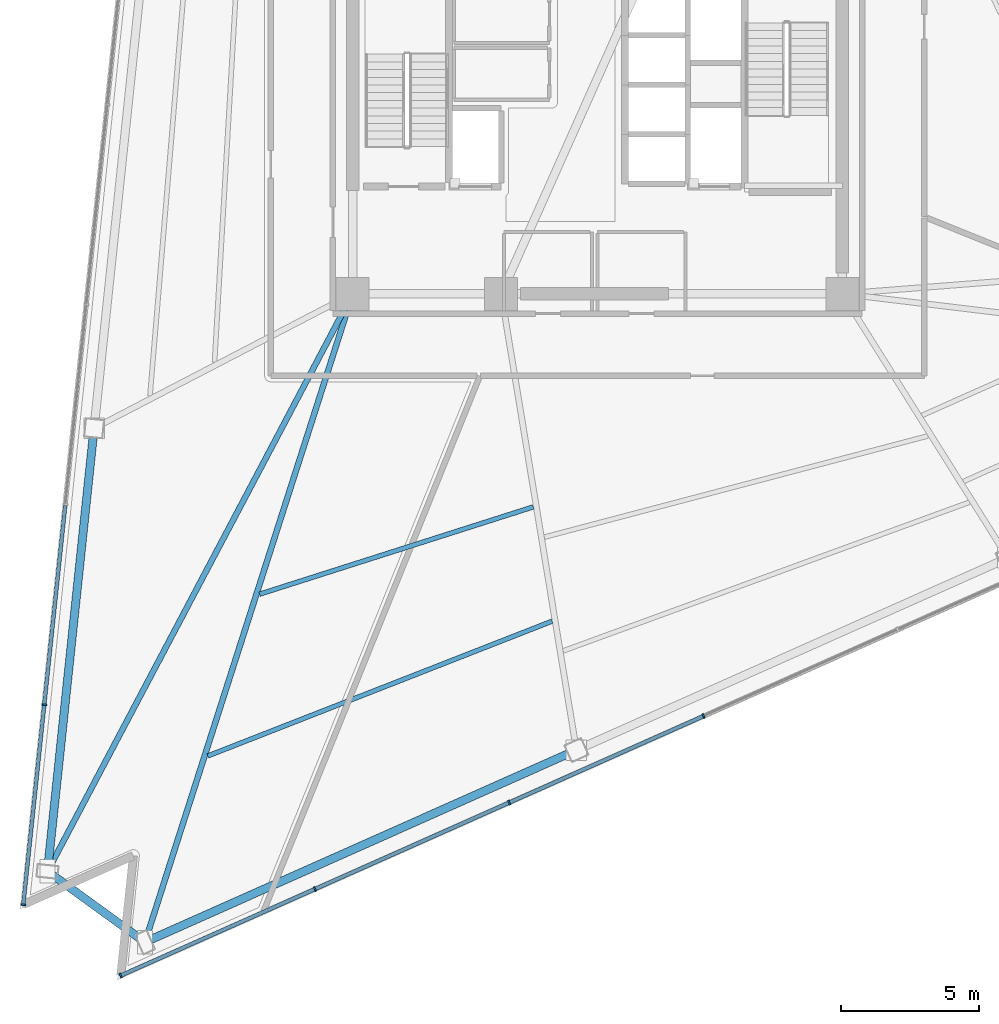
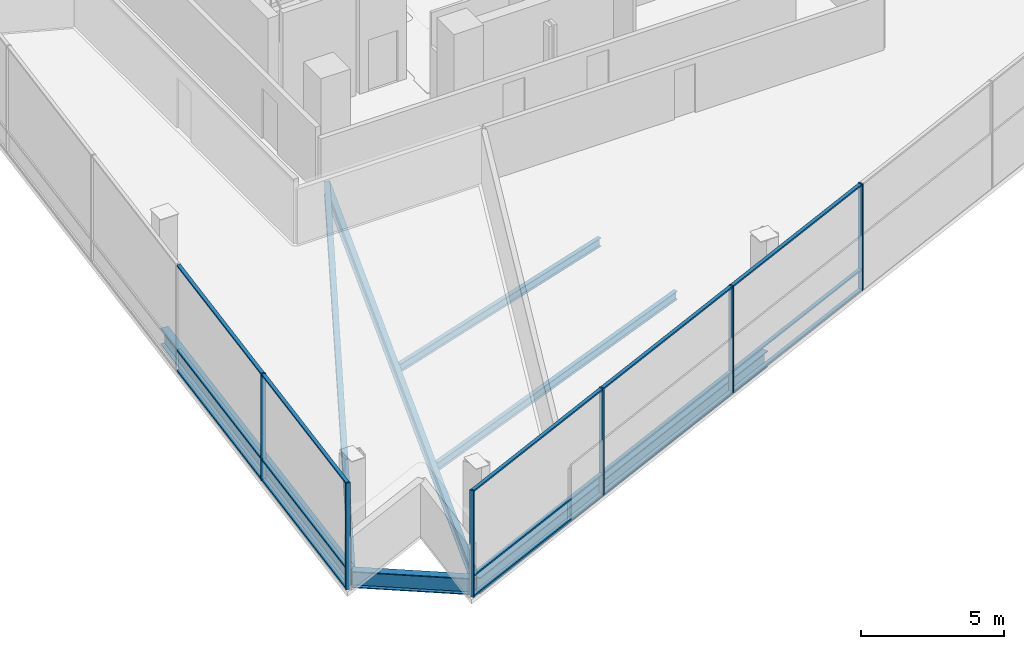
# One storey, part 2 of 18: 21 members, 7 beams, 2 elements without a shape of their own.
"""IFC4 building model written with IfcOpenShell, lengths in metres."""

from ifc_helpers import new_model, si_unit, direction, frame, origin, origin_2d, place, context, subcontext, project, spatial, rectangle, i_section, extrude, material, layer, layer_set, material_profile, profile_set, type_object, element, aggregate, save


model = new_model("IFC4")

# Units and contexts
model_context = context("Model", 3, precision=1e-05, world=origin(), true_north=direction((0.0, 1.0)))
body_context = subcontext(model_context, "Body", "Model", "MODEL_VIEW")
ifc_project = project(units=[si_unit("LENGTHUNIT", "METRE"), si_unit("AREAUNIT", "SQUARE_METRE"), si_unit("VOLUMEUNIT", "CUBIC_METRE"), si_unit("PLANEANGLEUNIT", "RADIAN"), si_unit("MASSUNIT", "GRAM", prefix="KILO")], contexts=[model_context])

# Site, building, storey
site_placement = place(None, origin())
site = spatial("IfcSite", under=ifc_project, at=site_placement, CompositionType="ELEMENT")
building_placement = place(site_placement, origin())
building = spatial("IfcBuilding", under=site, at=building_placement, Name="Tharavind Bronze Gate", CompositionType="ELEMENT")
storey_placement = place(building_placement, frame((0.0, 0.0, 134.050048828125)))
storey = spatial("IfcBuildingStorey", under=building, at=storey_placement, Name="L34", CompositionType="ELEMENT", Elevation=134.050048828125)

# Curtain wall, members
ifc_material_1 = material(Name="Anodised Bronze Aluminium", Category="aluminium")
ifc_layer = layer(ifc_material_1, 0.219970703125)
ifc_layer_set = layer_set([ifc_layer], Name="Anodised Bronze Aluminium")
curtain_wall_type = type_object("IfcCurtainWallType", Name="UNITISED CURTAIN WALL LOWER OFFICE", PredefinedType="USERDEFINED", material=ifc_layer_set)
curtain_wall_1_placement = place(storey_placement, origin())
curtain_wall_1 = element("IfcCurtainWall", 1, at=curtain_wall_1_placement, inside=storey, type_object=curtain_wall_type, Name="L34 unitised curtain wall lower office CW-L34-S1", ObjectType="UNITISED CURTAIN WALL", PredefinedType="USERDEFINED")
member_type_1 = type_object("IfcMemberType", Name="CURTAIN WALL BRONZE MULLION 65X180", PredefinedType="MULLION", material=ifc_material_1)
member_1_placement = place(storey_placement, frame((-20.1142578125, -22.5380859375, 0.0), z_axis=(0.0, 0.0, 1.0), x_axis=(-0.104526727499, -0.994522077803, 0.0)))
member_1 = element("IfcMember", 2, at=member_1_placement, type_object=member_type_1, Name="CW-L34-S1 mullion 7", PredefinedType="MULLION", context=body_context, shape_type="SweptSolid", body=[
    extrude(rectangle(XDim=0.06494140625, YDim=0.179931640625, at=origin_2d()), origin(), (0.0, 0.0, 1.0), 4.56005859375),
])
member_2_placement = place(storey_placement, frame((-20.878662109375, -29.811279296875, 0.0), z_axis=(0.0, 0.0, 1.0), x_axis=(-0.104526727499, -0.994522077803, 0.0)))
member_2 = element("IfcMember", 3, at=member_2_placement, type_object=member_type_1, Name="CW-L34-S1 mullion 8", PredefinedType="MULLION", context=body_context, shape_type="SweptSolid", body=[
    extrude(rectangle(XDim=0.06494140625, YDim=0.179931640625, at=origin_2d()), origin(), (0.0, 0.0, 1.0), 4.56005859375),
])

curtain_wall_2_placement = place(storey_placement, origin())
curtain_wall_2 = element("IfcCurtainWall", 4, at=curtain_wall_2_placement, inside=storey, type_object=curtain_wall_type, Name="L34 unitised curtain wall lower office CW-L34-S2", ObjectType="UNITISED CURTAIN WALL", PredefinedType="USERDEFINED")
member_3_placement = place(storey_placement, frame((-17.335205078125, -32.3857421875, 0.0), z_axis=(0.0, 0.0, 1.0), x_axis=(0.913545457643, 0.406736643076, 0.0)))
member_3 = element("IfcMember", 5, at=member_3_placement, type_object=member_type_1, Name="CW-L34-S2 mullion 1", PredefinedType="MULLION", context=body_context, shape_type="SweptSolid", body=[
    extrude(rectangle(XDim=0.06494140625, YDim=0.179931640625, at=origin_2d()), origin(), (0.0, 0.0, 1.0), 4.56005859375),
])
member_4_placement = place(storey_placement, frame((-10.273193359375, -29.241455078125, 0.0), z_axis=(0.0, 0.0, 1.0), x_axis=(0.913545457643, 0.406736643076, 0.0)))
member_4 = element("IfcMember", 6, at=member_4_placement, type_object=member_type_1, Name="CW-L34-S2 mullion 2", PredefinedType="MULLION", context=body_context, shape_type="SweptSolid", body=[
    extrude(rectangle(XDim=0.06494140625, YDim=0.179931640625, at=origin_2d()), origin(), (0.0, 0.0, 1.0), 4.56005859375),
])
member_5_placement = place(storey_placement, frame((-3.2109375, -26.097412109375, 0.0), z_axis=(0.0, 0.0, 1.0), x_axis=(0.913545457643, 0.406736643076, 0.0)))
member_5 = element("IfcMember", 7, at=member_5_placement, type_object=member_type_1, Name="CW-L34-S2 mullion 3", PredefinedType="MULLION", context=body_context, shape_type="SweptSolid", body=[
    extrude(rectangle(XDim=0.06494140625, YDim=0.179931640625, at=origin_2d()), origin(), (0.0, 0.0, 1.0), 4.56005859375),
])
member_6_placement = place(storey_placement, frame((3.851318359375, -22.952880859375, 0.0), z_axis=(0.0, 0.0, 1.0), x_axis=(0.913545457643, 0.406736643076, 0.0)))
member_6 = element("IfcMember", 8, at=member_6_placement, type_object=member_type_1, Name="CW-L34-S2 mullion 4", PredefinedType="MULLION", context=body_context, shape_type="SweptSolid", body=[
    extrude(rectangle(XDim=0.06494140625, YDim=0.179931640625, at=origin_2d()), origin(), (0.0, 0.0, 1.0), 4.56005859375),
])

# Member
member_type_2 = type_object("IfcMemberType", Name="CURTAIN WALL BRONZE TRANSOM 65X140", PredefinedType="USERDEFINED", material=ifc_material_1)
member_7_placement = place(storey_placement, frame((-19.73193359375, -18.9013671875, 0.0), z_axis=(0.0, 0.0, 1.0), x_axis=(-0.104526727499, -0.994522077803, 0.0)))
member_7 = element("IfcMember", 9, at=member_7_placement, type_object=member_type_2, Name="CW-L34-S1 transom TB6", ObjectType="TRANSOM", PredefinedType="USERDEFINED", context=body_context, shape_type="SweptSolid", body=[
    extrude(rectangle(XDim=7.26025390625, YDim=0.139892578125, at=origin_2d()), origin(), (0.0, 0.0, 1.0), 0.06494140625),
])

member_8_placement = place(storey_placement, frame((-19.73193359375, -18.9013671875, 0.867431640625), z_axis=(0.0, 0.0, 1.0), x_axis=(-0.104526727499, -0.994522077803, 0.0)))
member_8 = element("IfcMember", 10, at=member_8_placement, type_object=member_type_2, Name="CW-L34-S1 transom TS6", ObjectType="TRANSOM", PredefinedType="USERDEFINED", context=body_context, shape_type="SweptSolid", body=[
    extrude(rectangle(XDim=7.26025390625, YDim=0.139892578125, at=origin_2d()), origin(), (0.0, 0.0, 1.0), 0.06494140625),
])

member_9_placement = place(storey_placement, frame((-19.73193359375, -18.9013671875, 4.494873046875), z_axis=(0.0, 0.0, 1.0), x_axis=(-0.104526727499, -0.994522077803, 0.0)))
member_9 = element("IfcMember", 11, at=member_9_placement, type_object=member_type_2, Name="CW-L34-S1 transom TT6", ObjectType="TRANSOM", PredefinedType="USERDEFINED", context=body_context, shape_type="SweptSolid", body=[
    extrude(rectangle(XDim=7.26025390625, YDim=0.139892578125, at=origin_2d()), origin(), (0.0, 0.0, 1.0), 0.06494140625),
])

member_10_placement = place(storey_placement, frame((-20.49658203125, -26.1748046875, 0.0), z_axis=(0.0, 0.0, 1.0), x_axis=(-0.104526727499, -0.994522077803, 0.0)))
member_10 = element("IfcMember", 12, at=member_10_placement, type_object=member_type_2, Name="CW-L34-S1 transom TB7", ObjectType="TRANSOM", PredefinedType="USERDEFINED", context=body_context, shape_type="SweptSolid", body=[
    extrude(rectangle(XDim=7.26025390625, YDim=0.139892578125, at=origin_2d()), origin(), (0.0, 0.0, 1.0), 0.06494140625),
])

member_11_placement = place(storey_placement, frame((-20.49658203125, -26.1748046875, 0.867431640625), z_axis=(0.0, 0.0, 1.0), x_axis=(-0.104526727499, -0.994522077803, 0.0)))
member_11 = element("IfcMember", 13, at=member_11_placement, type_object=member_type_2, Name="CW-L34-S1 transom TS7", ObjectType="TRANSOM", PredefinedType="USERDEFINED", context=body_context, shape_type="SweptSolid", body=[
    extrude(rectangle(XDim=7.26025390625, YDim=0.139892578125, at=origin_2d()), origin(), (0.0, 0.0, 1.0), 0.06494140625),
])

member_12_placement = place(storey_placement, frame((-20.49658203125, -26.1748046875, 4.494873046875), z_axis=(0.0, 0.0, 1.0), x_axis=(-0.104526727499, -0.994522077803, 0.0)))
member_12 = element("IfcMember", 14, at=member_12_placement, type_object=member_type_2, Name="CW-L34-S1 transom TT7", ObjectType="TRANSOM", PredefinedType="USERDEFINED", context=body_context, shape_type="SweptSolid", body=[
    extrude(rectangle(XDim=7.26025390625, YDim=0.139892578125, at=origin_2d()), origin(), (0.0, 0.0, 1.0), 0.06494140625),
])

aggregate(curtain_wall_1, [member_1, member_2, member_7, member_8, member_9, member_10, member_11, member_12])

member_13_placement = place(storey_placement, frame((-13.80419921875, -30.813720703125, 0.0), z_axis=(0.0, 0.0, 1.0), x_axis=(0.913545457643, 0.406736643076, 0.0)))
member_13 = element("IfcMember", 15, at=member_13_placement, type_object=member_type_2, Name="CW-L34-S2 transom TB1", ObjectType="TRANSOM", PredefinedType="USERDEFINED", context=body_context, shape_type="SweptSolid", body=[
    extrude(rectangle(XDim=7.677490234375, YDim=0.139892578125, at=origin_2d()), origin(), (0.0, 0.0, 1.0), 0.06494140625),
])

member_14_placement = place(storey_placement, frame((-13.80419921875, -30.813720703125, 0.867431640625), z_axis=(0.0, 0.0, 1.0), x_axis=(0.913545457643, 0.406736643076, 0.0)))
member_14 = element("IfcMember", 16, at=member_14_placement, type_object=member_type_2, Name="CW-L34-S2 transom TS1", ObjectType="TRANSOM", PredefinedType="USERDEFINED", context=body_context, shape_type="SweptSolid", body=[
    extrude(rectangle(XDim=7.677490234375, YDim=0.139892578125, at=origin_2d()), origin(), (0.0, 0.0, 1.0), 0.06494140625),
])

member_15_placement = place(storey_placement, frame((-13.80419921875, -30.813720703125, 4.494873046875), z_axis=(0.0, 0.0, 1.0), x_axis=(0.913545457643, 0.406736643076, 0.0)))
member_15 = element("IfcMember", 17, at=member_15_placement, type_object=member_type_2, Name="CW-L34-S2 transom TT1", ObjectType="TRANSOM", PredefinedType="USERDEFINED", context=body_context, shape_type="SweptSolid", body=[
    extrude(rectangle(XDim=7.677490234375, YDim=0.139892578125, at=origin_2d()), origin(), (0.0, 0.0, 1.0), 0.06494140625),
])

member_16_placement = place(storey_placement, frame((-6.741943359375, -27.66943359375, 0.0), z_axis=(0.0, 0.0, 1.0), x_axis=(0.913545457643, 0.406736643076, 0.0)))
member_16 = element("IfcMember", 18, at=member_16_placement, type_object=member_type_2, Name="CW-L34-S2 transom TB2", ObjectType="TRANSOM", PredefinedType="USERDEFINED", context=body_context, shape_type="SweptSolid", body=[
    extrude(rectangle(XDim=7.677490234375, YDim=0.139892578125, at=origin_2d()), origin(), (0.0, 0.0, 1.0), 0.06494140625),
])

member_17_placement = place(storey_placement, frame((-6.741943359375, -27.66943359375, 0.867431640625), z_axis=(0.0, 0.0, 1.0), x_axis=(0.913545457643, 0.406736643076, 0.0)))
member_17 = element("IfcMember", 19, at=member_17_placement, type_object=member_type_2, Name="CW-L34-S2 transom TS2", ObjectType="TRANSOM", PredefinedType="USERDEFINED", context=body_context, shape_type="SweptSolid", body=[
    extrude(rectangle(XDim=7.677490234375, YDim=0.139892578125, at=origin_2d()), origin(), (0.0, 0.0, 1.0), 0.06494140625),
])

member_18_placement = place(storey_placement, frame((-6.741943359375, -27.66943359375, 4.494873046875), z_axis=(0.0, 0.0, 1.0), x_axis=(0.913545457643, 0.406736643076, 0.0)))
member_18 = element("IfcMember", 20, at=member_18_placement, type_object=member_type_2, Name="CW-L34-S2 transom TT2", ObjectType="TRANSOM", PredefinedType="USERDEFINED", context=body_context, shape_type="SweptSolid", body=[
    extrude(rectangle(XDim=7.677490234375, YDim=0.139892578125, at=origin_2d()), origin(), (0.0, 0.0, 1.0), 0.06494140625),
])

member_19_placement = place(storey_placement, frame((0.3203125, -24.525146484375, 0.0), z_axis=(0.0, 0.0, 1.0), x_axis=(0.913545457643, 0.406736643076, 0.0)))
member_19 = element("IfcMember", 21, at=member_19_placement, type_object=member_type_2, Name="CW-L34-S2 transom TB3", ObjectType="TRANSOM", PredefinedType="USERDEFINED", context=body_context, shape_type="SweptSolid", body=[
    extrude(rectangle(XDim=7.677490234375, YDim=0.139892578125, at=origin_2d()), origin(), (0.0, 0.0, 1.0), 0.06494140625),
])

member_20_placement = place(storey_placement, frame((0.3203125, -24.525146484375, 0.867431640625), z_axis=(0.0, 0.0, 1.0), x_axis=(0.913545457643, 0.406736643076, 0.0)))
member_20 = element("IfcMember", 22, at=member_20_placement, type_object=member_type_2, Name="CW-L34-S2 transom TS3", ObjectType="TRANSOM", PredefinedType="USERDEFINED", context=body_context, shape_type="SweptSolid", body=[
    extrude(rectangle(XDim=7.677490234375, YDim=0.139892578125, at=origin_2d()), origin(), (0.0, 0.0, 1.0), 0.06494140625),
])

member_21_placement = place(storey_placement, frame((0.3203125, -24.525146484375, 4.494873046875), z_axis=(0.0, 0.0, 1.0), x_axis=(0.913545457643, 0.406736643076, 0.0)))
member_21 = element("IfcMember", 23, at=member_21_placement, type_object=member_type_2, Name="CW-L34-S2 transom TT3", ObjectType="TRANSOM", PredefinedType="USERDEFINED", context=body_context, shape_type="SweptSolid", body=[
    extrude(rectangle(XDim=7.677490234375, YDim=0.139892578125, at=origin_2d()), origin(), (0.0, 0.0, 1.0), 0.06494140625),
])

aggregate(curtain_wall_2, [member_3, member_4, member_5, member_6, member_13, member_14, member_15, member_16, member_17, member_18, member_19, member_20, member_21])

# Beams
ifc_material_2 = material(Name="Steel S355", Category="steel")
ifc_material_profile_1 = material_profile(ifc_material_2, i_section(OverallWidth=0.2099609375, OverallDepth=0.550048828125, WebThickness=0.010986328125, FlangeThickness=0.01708984375, at=origin_2d()), Name="IPE550")
ifc_profile_set_1 = profile_set([ifc_material_profile_1], Name="Steel S355")
beam_type_1 = type_object("IfcBeamType", Name="PRIMARY GIRDER IPE550", PredefinedType="USERDEFINED", material=ifc_profile_set_1)
beam_1_placement = place(storey_placement, frame((-19.9970703125, -28.597900390625, -0.465087890625), z_axis=(0.467252343424, 0.884124000107, 0.0), x_axis=(-0.884124000107, 0.467252343424, 0.0)))
element("IfcBeam", 24, at=beam_1_placement, inside=storey, type_object=beam_type_1, Name="L34 primary girder ipe550 BM-L34-RAD04", ObjectType="GIRDER", PredefinedType="USERDEFINED", context=body_context, shape_type="SweptSolid", body=[
    extrude(i_section(OverallWidth=0.2099609375, OverallDepth=0.550048828125, WebThickness=0.010986328125, FlangeThickness=0.01708984375, at=origin_2d()), origin(), (0.0, 0.0, 1.0), 23.749755859375),
])
beam_2_placement = place(storey_placement, frame((-16.45361328125, -31.17236328125, -0.465087890625), z_axis=(0.305163640021, 0.952299927969, 0.0), x_axis=(-0.952299927969, 0.305163640021, 0.0)))
element("IfcBeam", 25, at=beam_2_placement, inside=storey, type_object=beam_type_1, Name="L34 primary girder ipe550 BM-L34-RAD05", ObjectType="GIRDER", PredefinedType="USERDEFINED", context=body_context, shape_type="SweptSolid", body=[
    extrude(i_section(OverallWidth=0.2099609375, OverallDepth=0.550048828125, WebThickness=0.010986328125, FlangeThickness=0.01708984375, at=origin_2d()), origin(), (0.0, 0.0, 1.0), 24.7529296875),
])
ifc_material_profile_2 = material_profile(ifc_material_2, i_section(OverallWidth=0.300048828125, OverallDepth=0.699951171875, WebThickness=0.01708984375, FlangeThickness=0.031982421875, at=origin_2d()), Name="HE700B")
ifc_profile_set_2 = profile_set([ifc_material_profile_2], Name="Steel S355")
beam_type_2 = type_object("IfcBeamType", Name="RING GIRDER HE700B", PredefinedType="USERDEFINED", material=ifc_profile_set_2)
beam_3_placement = place(storey_placement, frame((-18.303955078125, -12.488037109375, -0.5400390625), z_axis=(-0.104522380175, -0.994522534708, 0.0), x_axis=(0.994522534708, -0.104522380175, 0.0)))
element("IfcBeam", 26, at=beam_3_placement, inside=storey, type_object=beam_type_2, Name="L34 ring girder he700b BM-L34-PRG03", ObjectType="GIRDER", PredefinedType="USERDEFINED", context=body_context, shape_type="SweptSolid", body=[
    extrude(i_section(OverallWidth=0.300048828125, OverallDepth=0.699951171875, WebThickness=0.01708984375, FlangeThickness=0.031982421875, at=origin_2d()), origin(), (0.0, 0.0, 1.0), 16.198486328125),
])
beam_4_placement = place(storey_placement, frame((-19.9970703125, -28.597900390625, -0.5400390625), z_axis=(0.809018008275, -0.587783856777, 0.0), x_axis=(0.587783856777, 0.809018008275, 0.0)))
element("IfcBeam", 27, at=beam_4_placement, inside=storey, type_object=beam_type_2, Name="L34 ring girder he700b BM-L34-PRG04", ObjectType="GIRDER", PredefinedType="USERDEFINED", context=body_context, shape_type="SweptSolid", body=[
    extrude(i_section(OverallWidth=0.300048828125, OverallDepth=0.699951171875, WebThickness=0.01708984375, FlangeThickness=0.031982421875, at=origin_2d()), origin(), (0.0, 0.0, 1.0), 4.3798828125),
])
beam_5_placement = place(storey_placement, frame((-16.45361328125, -31.17236328125, -0.5400390625), z_axis=(0.913546351362, 0.406734635744, 0.0), x_axis=(-0.406734635744, 0.913546351362, 0.0)))
element("IfcBeam", 28, at=beam_5_placement, inside=storey, type_object=beam_type_2, Name="L34 ring girder he700b BM-L34-PRG05", ObjectType="GIRDER", PredefinedType="USERDEFINED", context=body_context, shape_type="SweptSolid", body=[
    extrude(i_section(OverallWidth=0.300048828125, OverallDepth=0.699951171875, WebThickness=0.01708984375, FlangeThickness=0.031982421875, at=origin_2d()), origin(), (0.0, 0.0, 1.0), 17.171875),
])
ifc_material_profile_3 = material_profile(ifc_material_2, i_section(OverallWidth=0.169921875, OverallDepth=0.360107421875, WebThickness=0.008056640625, FlangeThickness=0.0126953125, at=origin_2d()), Name="IPE360")
ifc_profile_set_3 = profile_set([ifc_material_profile_3], Name="Steel S355")
beam_type_3 = type_object("IfcBeamType", Name="SECONDARY FLOOR JOIST IPE360", PredefinedType="JOIST", material=ifc_profile_set_3)
beam_6_placement = place(storey_placement, frame((-12.285888671875, -18.520751953125, -0.3701171875), z_axis=(0.952718678144, 0.303853781144, 0.0), x_axis=(-0.303853781144, 0.952718678144, 0.0)))
element("IfcBeam", 29, at=beam_6_placement, inside=storey, type_object=beam_type_3, Name="L34 secondary floor joist ipe360 BM-L34-JSTA05", PredefinedType="JOIST", context=body_context, shape_type="SweptSolid", body=[
    extrude(i_section(OverallWidth=0.169921875, OverallDepth=0.360107421875, WebThickness=0.008056640625, FlangeThickness=0.0126953125, at=origin_2d()), origin(), (0.0, 0.0, 1.0), 10.446044921875),
])
beam_7_placement = place(storey_placement, frame((-14.1708984375, -24.4033203125, -0.3701171875), z_axis=(0.931178744784, 0.364562951028, 0.0), x_axis=(-0.364562951028, 0.931178744784, 0.0)))
element("IfcBeam", 30, at=beam_7_placement, inside=storey, type_object=beam_type_3, Name="L34 secondary floor joist ipe360 BM-L34-JSTB05", PredefinedType="JOIST", context=body_context, shape_type="SweptSolid", body=[
    extrude(i_section(OverallWidth=0.169921875, OverallDepth=0.360107421875, WebThickness=0.008056640625, FlangeThickness=0.0126953125, at=origin_2d()), origin(), (0.0, 0.0, 1.0), 13.447265625),
])

save(model, "model.ifc")
